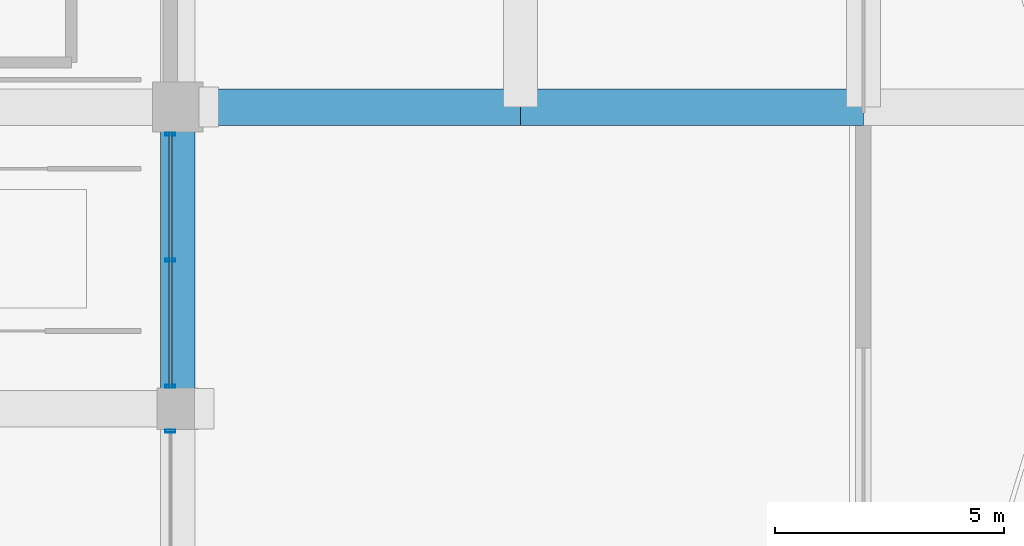
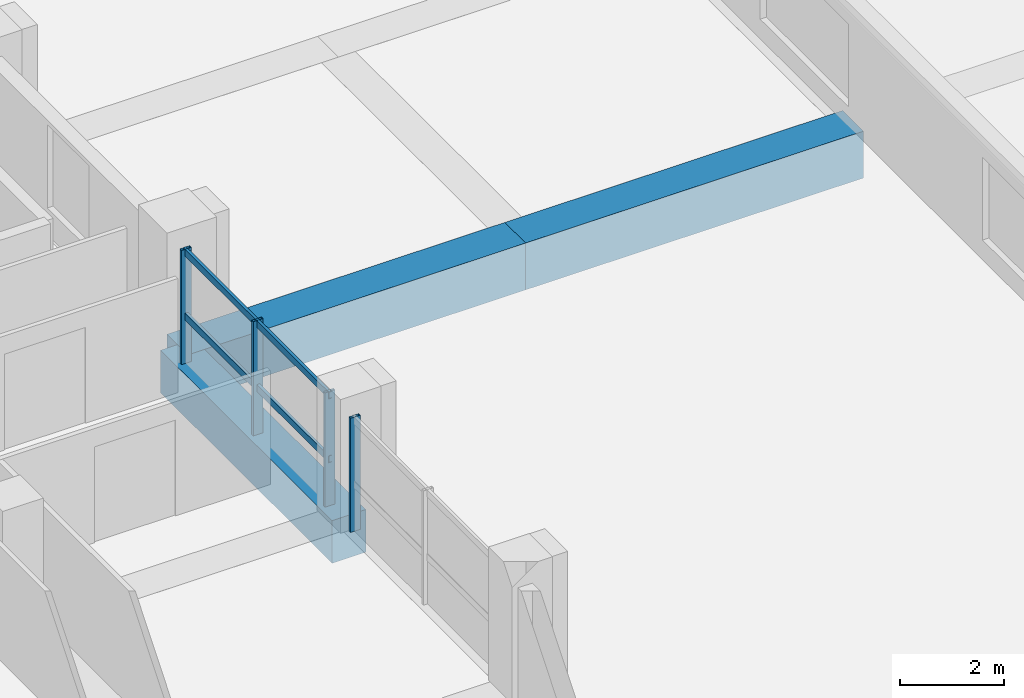
# One storey, part 18 of 49: 6 members, 3 beams, 2 elements without a shape of their own.
"""IFC4 building model written with IfcOpenShell, lengths in metres."""

from ifc_helpers import new_model, si_unit, direction, frame, origin, origin_2d, place, context, subcontext, project, spatial, rectangle, hollow_rectangle, extrude, material, material_profile, profile_set, type_object, element, aggregate, save


model = new_model("IFC4")

# Units and contexts
model_context = context("Model", 3, precision=1e-05, world=origin(), true_north=direction((0.0, 1.0)))
body_context = subcontext(model_context, "Body", "Model", "MODEL_VIEW")
ifc_project = project(units=[si_unit("LENGTHUNIT", "METRE"), si_unit("AREAUNIT", "SQUARE_METRE"), si_unit("VOLUMEUNIT", "CUBIC_METRE"), si_unit("PLANEANGLEUNIT", "RADIAN"), si_unit("MASSUNIT", "GRAM", prefix="KILO")], contexts=[model_context])

# Site, building, storey
site_placement = place(None, origin())
site = spatial("IfcSite", under=ifc_project, at=site_placement, CompositionType="ELEMENT")
building_placement = place(site_placement, origin())
building = spatial("IfcBuilding", under=site, at=building_placement, Name="Akrevak Sports Hall", CompositionType="ELEMENT")
storey_placement = place(building_placement, frame((0.0, 0.0, 24.14990234375)))
storey = spatial("IfcBuildingStorey", under=building, at=storey_placement, Name="L04", CompositionType="ELEMENT", Elevation=24.14990234375)

# Curtain wall, member
ifc_material_1 = material(Name="Anodized Bronze Aluminium & Low-E Glass", Category="aluminium")
curtain_wall_type = type_object("IfcCurtainWallType", Name="ARC-CW-TWR-72x30", PredefinedType="NOTDEFINED", material=ifc_material_1)
curtain_wall_1_placement = place(storey_placement, origin())
curtain_wall_1 = element("IfcCurtainWall", 1, at=curtain_wall_1_placement, inside=storey, type_object=curtain_wall_type, Name="Curtain Wall CW-L04-E14", PredefinedType="NOTDEFINED")
ifc_material_2 = material(Name="Anodized Bronze Aluminium", Category="aluminium")
ifc_material_profile_1 = material_profile(ifc_material_2, hollow_rectangle(XDim=0.06494140625, YDim=0.219970703125, WallThickness=0.00439453125, at=origin_2d()), Name="CWM 65x220", Category="aluminium")
ifc_profile_set_1 = profile_set([ifc_material_profile_1], Name="Anodized Bronze Aluminium")
member_type_1 = type_object("IfcMemberType", Name="ARC-CWM-70x160", PredefinedType="MULLION", material=ifc_profile_set_1)
member_1_placement = place(storey_placement, frame((115.340087890625, 48.110107421875, 0.0), z_axis=(0.0, 0.0, 1.0), x_axis=(0.0, 1.0, 0.0)))
member_1 = element("IfcMember", 2, at=member_1_placement, type_object=member_type_1, Name="Curtain Wall Mullion CW-L04-E14-M3", PredefinedType="MULLION", context=body_context, shape_type="SweptSolid", body=[
    extrude(hollow_rectangle(XDim=0.06494140625, YDim=0.219970703125, WallThickness=0.00439453125, at=origin_2d()), origin(), (0.0, 0.0, 1.0), 2.68017578125),
])
aggregate(curtain_wall_1, [member_1])

# Curtain wall, members
curtain_wall_2_placement = place(storey_placement, origin())
curtain_wall_2 = element("IfcCurtainWall", 3, at=curtain_wall_2_placement, inside=storey, type_object=curtain_wall_type, Name="Curtain Wall CW-L04-E15", PredefinedType="NOTDEFINED")
member_2_placement = place(storey_placement, frame((115.340087890625, 49.090087890625, 0.0), z_axis=(0.0, 0.0, 1.0), x_axis=(0.0, 1.0, 0.0)))
member_2 = element("IfcMember", 4, at=member_2_placement, type_object=member_type_1, Name="Curtain Wall Mullion CW-L04-E15-M1", PredefinedType="MULLION", context=body_context, shape_type="SweptSolid", body=[
    extrude(hollow_rectangle(XDim=0.06494140625, YDim=0.219970703125, WallThickness=0.00439453125, at=origin_2d()), origin(), (0.0, 0.0, 1.0), 2.68017578125),
])
member_3_placement = place(storey_placement, frame((115.340087890625, 51.85009765625, 0.0), z_axis=(0.0, 0.0, 1.0), x_axis=(0.0, 1.0, 0.0)))
member_3 = element("IfcMember", 5, at=member_3_placement, type_object=member_type_1, Name="Curtain Wall Mullion CW-L04-E15-M2", PredefinedType="MULLION", context=body_context, shape_type="SweptSolid", body=[
    extrude(hollow_rectangle(XDim=0.06494140625, YDim=0.219970703125, WallThickness=0.00439453125, at=origin_2d()), origin(), (0.0, 0.0, 1.0), 2.68017578125),
])
member_4_placement = place(storey_placement, frame((115.340087890625, 54.610107421875, 0.0), z_axis=(0.0, 0.0, 1.0), x_axis=(0.0, 1.0, 0.0)))
member_4 = element("IfcMember", 6, at=member_4_placement, type_object=member_type_1, Name="Curtain Wall Mullion CW-L04-E15-M3", PredefinedType="MULLION", context=body_context, shape_type="SweptSolid", body=[
    extrude(hollow_rectangle(XDim=0.06494140625, YDim=0.219970703125, WallThickness=0.00439453125, at=origin_2d()), origin(), (0.0, 0.0, 1.0), 2.68017578125),
])
ifc_material_profile_2 = material_profile(ifc_material_2, hollow_rectangle(XDim=0.06494140625, YDim=0.159912109375, WallThickness=0.00390625, at=origin_2d()), Name="CWT 65x160", Category="aluminium")
ifc_profile_set_2 = profile_set([ifc_material_profile_2], Name="Anodized Bronze Aluminium")
member_type_2 = type_object("IfcMemberType", Name="ARC-CWT-70x130", PredefinedType="USERDEFINED", material=ifc_profile_set_2)
member_5_placement = place(storey_placement, frame((115.340087890625, 49.050048828125, 1.10009765625), z_axis=(0.0, 1.0, 0.0), x_axis=(-1.0, 0.0, 0.0)))
member_5 = element("IfcMember", 7, at=member_5_placement, type_object=member_type_2, Name="Curtain Wall Transom CW-L04-E15-T1", ObjectType="TRANSOM", PredefinedType="USERDEFINED", context=body_context, shape_type="SweptSolid", body=[
    extrude(hollow_rectangle(XDim=0.06494140625, YDim=0.159912109375, WallThickness=0.00390625, at=origin_2d()), origin(), (0.0, 0.0, 1.0), 5.599853515625),
])
member_6_placement = place(storey_placement, frame((115.340087890625, 49.050048828125, 2.60009765625), z_axis=(0.0, 1.0, 0.0), x_axis=(-1.0, 0.0, 0.0)))
member_6 = element("IfcMember", 8, at=member_6_placement, type_object=member_type_2, Name="Curtain Wall Transom CW-L04-E15-T2", ObjectType="TRANSOM", PredefinedType="USERDEFINED", context=body_context, shape_type="SweptSolid", body=[
    extrude(hollow_rectangle(XDim=0.06494140625, YDim=0.159912109375, WallThickness=0.00390625, at=origin_2d()), origin(), (0.0, 0.0, 1.0), 5.599853515625),
])
aggregate(curtain_wall_2, [member_2, member_3, member_4, member_5, member_6])

# Beams
ifc_material_3 = material(Name="Concrete C50/60", Category="concrete")
ifc_material_profile_3 = material_profile(ifc_material_3, rectangle(XDim=0.75, YDim=1.0, at=origin_2d()), Name="BM 750x1000", Category="concrete")
ifc_profile_set_3 = profile_set([ifc_material_profile_3], Name="Concrete C50/60")
beam_type_1 = type_object("IfcBeamType", Name="STR-BM-RC750x1000", PredefinedType="BEAM", material=ifc_profile_set_3)
beam_placement = place(storey_placement, frame((115.5, 48.60009765625, -0.5), z_axis=(0.0, 1.0, 0.0), x_axis=(-1.0, 0.0, 0.0)))
element("IfcBeam", 9, at=beam_placement, inside=storey, type_object=beam_type_1, Name="Girder 16/H-I (L04)", PredefinedType="BEAM", context=body_context, shape_type="SweptSolid", body=[
    extrude(rectangle(XDim=0.75, YDim=1.0, at=origin_2d()), origin(), (0.0, 0.0, 1.0), 6.599853515625),
])
ifc_material_profile_4 = material_profile(ifc_material_3, rectangle(XDim=0.800048828125, YDim=1.10009765625, at=origin_2d()), Name="BM 800x1100", Category="concrete")
ifc_profile_set_4 = profile_set([ifc_material_profile_4], Name="Concrete C50/60")
beam_type_2 = type_object("IfcBeamType", Name="STR-BM-RC800x1100", PredefinedType="BEAM", material=ifc_profile_set_4)
for number, where, z_axis, x_axis, name in (
    (10, (115.5, 55.199951171875, -0.5498046875), (1.0, 0.0, 0.0), (0.0, 1.0, 0.0), "Girder I/16-17 (L04)"),
    (11, (123.0, 55.199951171875, -0.5498046875), (1.0, 0.0, 0.0), (0.0, 1.0, 0.0), "Girder I/17-18 (L04)"),
):
    element("IfcBeam", number, at=place(storey_placement, frame(where, z_axis=z_axis, x_axis=x_axis)), inside=storey, type_object=beam_type_2, Name=name, PredefinedType="BEAM", context=body_context, shape_type="SweptSolid", body=[
        extrude(rectangle(XDim=0.800048828125, YDim=1.10009765625, at=origin_2d()), origin(), (0.0, 0.0, 1.0), 7.5),
    ])

save(model, "model.ifc")
